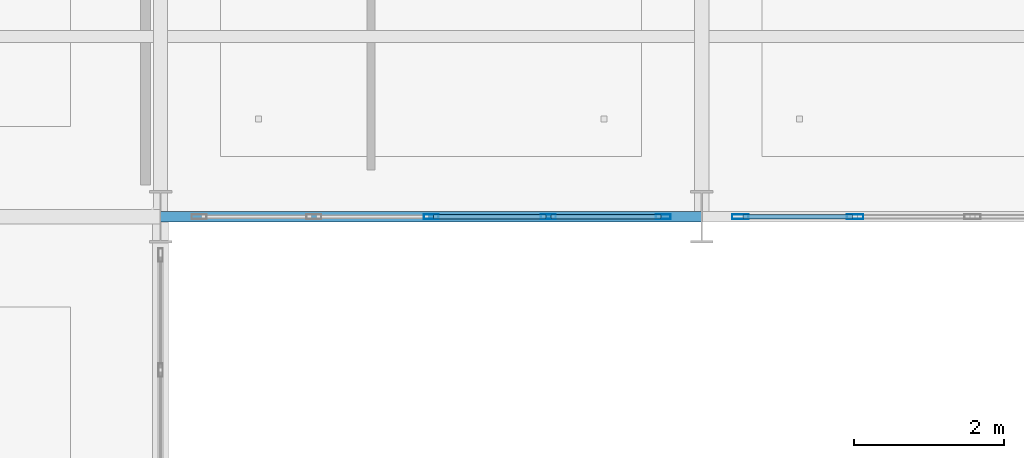
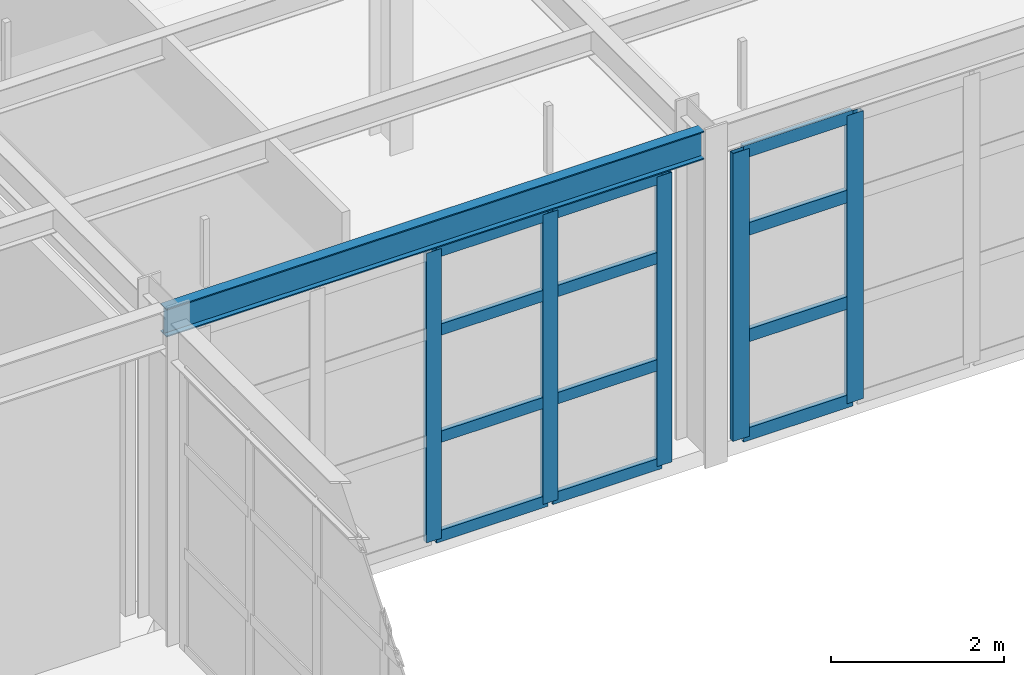
# One storey, part 30 of 121: 17 members, 1 beam, 2 elements without a shape of their own.
"""IFC4 building model written with IfcOpenShell, lengths in metres."""

from ifc_helpers import new_model, si_unit, direction, frame, origin, origin_2d, place, context, subcontext, project, spatial, hollow_rectangle, i_section, extrude, material, layer, layer_set, material_profile, profile_set, type_object, element, aggregate, save


model = new_model("IFC4")

# Units and contexts
model_context = context("Model", 3, precision=1e-05, world=origin(), true_north=direction((0.0, 1.0)))
body_context = subcontext(model_context, "Body", "Model", "MODEL_VIEW")
ifc_project = project(units=[si_unit("LENGTHUNIT", "METRE"), si_unit("AREAUNIT", "SQUARE_METRE"), si_unit("VOLUMEUNIT", "CUBIC_METRE"), si_unit("PLANEANGLEUNIT", "RADIAN"), si_unit("MASSUNIT", "GRAM", prefix="KILO")], contexts=[model_context])

# Site, building, storey
site_placement = place(None, origin())
site = spatial("IfcSite", under=ifc_project, at=site_placement, CompositionType="ELEMENT")
building_placement = place(site_placement, origin())
building = spatial("IfcBuilding", under=site, at=building_placement, Name="Solvadek Multi-Sports Hall", CompositionType="ELEMENT")
storey_placement = place(building_placement, frame((0.0, 0.0, 4.800048828125)))
storey = spatial("IfcBuildingStorey", under=building, at=storey_placement, Name="L01", CompositionType="ELEMENT", Elevation=4.800048828125)

# Curtain wall, members
ifc_material_1 = material(Name="Anodised aluminium", Category="aluminium")
ifc_layer_1 = layer(ifc_material_1, 0.159912109375, Name="Anodised aluminium")
ifc_layer_set_1 = layer_set([ifc_layer_1], Name="Anodised aluminium")
curtain_wall_type_1 = type_object("IfcCurtainWallType", Name="ENV-CW-624X410", PredefinedType="USERDEFINED", material=ifc_layer_set_1)
curtain_wall_1_placement = place(storey_placement, origin())
curtain_wall_1 = element("IfcCurtainWall", 1, at=curtain_wall_1_placement, inside=storey, type_object=curtain_wall_type_1, Name="L01 Perimeter Bay Curtain Wall #156", ObjectType="CURTAIN WALL", PredefinedType="USERDEFINED")
ifc_material_profile_1 = material_profile(ifc_material_1, hollow_rectangle(XDim=0.06494140625, YDim=0.199951171875, WallThickness=0.0048828125, at=origin_2d()), Name="ALU-M 200x65x5")
ifc_profile_set_1 = profile_set([ifc_material_profile_1], Name="Anodised aluminium")
member_type_1 = type_object("IfcMemberType", Name="ENV-CWM-03", PredefinedType="MULLION", material=ifc_profile_set_1)
member_1_placement = place(storey_placement, frame((25.199951171875, 49.199951171875, 0.0), z_axis=(0.0, 0.0, 1.0), x_axis=(0.0, 1.0, 0.0)))
member_1 = element("IfcMember", 2, at=member_1_placement, type_object=member_type_1, Name="CW-39 mullion 3", PredefinedType="MULLION", context=body_context, shape_type="SweptSolid", body=[
    extrude(hollow_rectangle(XDim=0.06494140625, YDim=0.199951171875, WallThickness=0.0048828125, at=origin_2d()), origin(), (0.0, 0.0, 1.0), 4.099853515625),
])
member_2_placement = place(storey_placement, frame((26.760009765625, 49.199951171875, 0.0), z_axis=(0.0, 0.0, 1.0), x_axis=(0.0, 1.0, 0.0)))
member_2 = element("IfcMember", 3, at=member_2_placement, type_object=member_type_1, Name="CW-39 mullion 4", PredefinedType="MULLION", context=body_context, shape_type="SweptSolid", body=[
    extrude(hollow_rectangle(XDim=0.06494140625, YDim=0.199951171875, WallThickness=0.0048828125, at=origin_2d()), origin(), (0.0, 0.0, 1.0), 4.099853515625),
])
member_3_placement = place(storey_placement, frame((28.28759765625, 49.199951171875, 0.0), z_axis=(0.0, 0.0, 1.0), x_axis=(0.0, 1.0, 0.0)))
member_3 = element("IfcMember", 4, at=member_3_placement, type_object=member_type_1, Name="CW-39 mullion 5", PredefinedType="MULLION", context=body_context, shape_type="SweptSolid", body=[
    extrude(hollow_rectangle(XDim=0.06494140625, YDim=0.199951171875, WallThickness=0.0048828125, at=origin_2d()), origin(), (0.0, 0.0, 1.0), 4.099853515625),
])

ifc_layer_2 = layer(ifc_material_1, 0.159912109375, Name="Anodised aluminium")
ifc_layer_set_2 = layer_set([ifc_layer_2], Name="Anodised aluminium")
curtain_wall_type_2 = type_object("IfcCurtainWallType", Name="ENV-CW-624X408", PredefinedType="USERDEFINED", material=ifc_layer_set_2)
curtain_wall_2_placement = place(storey_placement, origin())
curtain_wall_2 = element("IfcCurtainWall", 5, at=curtain_wall_2_placement, inside=storey, type_object=curtain_wall_type_2, Name="L01 Perimeter Bay Curtain Wall #162", ObjectType="CURTAIN WALL", PredefinedType="USERDEFINED")
ifc_material_profile_2 = material_profile(ifc_material_1, hollow_rectangle(XDim=0.06494140625, YDim=0.219970703125, WallThickness=0.0048828125, at=origin_2d()), Name="ALU-M 220x65x5")
ifc_profile_set_2 = profile_set([ifc_material_profile_2], Name="Anodised aluminium")
member_type_2 = type_object("IfcMemberType", Name="ENV-CWM-04", PredefinedType="MULLION", material=ifc_profile_set_2)
member_4_placement = place(storey_placement, frame((29.3125, 49.199951171875, 0.0), z_axis=(0.0, 0.0, 1.0), x_axis=(0.0, 1.0, 0.0)))
member_4 = element("IfcMember", 6, at=member_4_placement, type_object=member_type_2, Name="CW-40 mullion 1", PredefinedType="MULLION", context=body_context, shape_type="SweptSolid", body=[
    extrude(hollow_rectangle(XDim=0.06494140625, YDim=0.219970703125, WallThickness=0.0048828125, at=origin_2d()), origin(), (0.0, 0.0, 1.0), 4.074951171875),
])
member_5_placement = place(storey_placement, frame((30.840087890625, 49.199951171875, 0.0), z_axis=(0.0, 0.0, 1.0), x_axis=(0.0, 1.0, 0.0)))
member_5 = element("IfcMember", 7, at=member_5_placement, type_object=member_type_2, Name="CW-40 mullion 2", PredefinedType="MULLION", context=body_context, shape_type="SweptSolid", body=[
    extrude(hollow_rectangle(XDim=0.06494140625, YDim=0.219970703125, WallThickness=0.0048828125, at=origin_2d()), origin(), (0.0, 0.0, 1.0), 4.074951171875),
])

# Member
ifc_material_profile_3 = material_profile(ifc_material_1, hollow_rectangle(XDim=0.06494140625, YDim=0.159912109375, WallThickness=0.00390625, at=origin_2d()), Name="ALU-T 160x65x4")
ifc_profile_set_3 = profile_set([ifc_material_profile_3], Name="Anodised aluminium")
member_type_3 = type_object("IfcMemberType", Name="ENV-CWT-03", PredefinedType="USERDEFINED", material=ifc_profile_set_3)
member_6_placement = place(storey_placement, frame((25.232421875, 49.199951171875, 0.032470703125), z_axis=(1.0, 0.0, 0.0), x_axis=(0.0, 1.0, 0.0)))
member_6 = element("IfcMember", 8, at=member_6_placement, type_object=member_type_3, Name="CW-39 transom 3.1", ObjectType="TRANSOM", PredefinedType="USERDEFINED", context=body_context, shape_type="SweptSolid", body=[
    extrude(hollow_rectangle(XDim=0.06494140625, YDim=0.159912109375, WallThickness=0.00390625, at=origin_2d()), origin(), (0.0, 0.0, 1.0), 1.4951171875),
])

member_7_placement = place(storey_placement, frame((25.232421875, 49.199951171875, 1.43505859375), z_axis=(1.0, 0.0, 0.0), x_axis=(0.0, 1.0, 0.0)))
member_7 = element("IfcMember", 9, at=member_7_placement, type_object=member_type_3, Name="CW-39 transom 3.2", ObjectType="TRANSOM", PredefinedType="USERDEFINED", context=body_context, shape_type="SweptSolid", body=[
    extrude(hollow_rectangle(XDim=0.06494140625, YDim=0.159912109375, WallThickness=0.00390625, at=origin_2d()), origin(), (0.0, 0.0, 1.0), 1.4951171875),
])

member_8_placement = place(storey_placement, frame((25.232421875, 49.199951171875, 2.951904296875), z_axis=(1.0, 0.0, 0.0), x_axis=(0.0, 1.0, 0.0)))
member_8 = element("IfcMember", 10, at=member_8_placement, type_object=member_type_3, Name="CW-39 transom 3.3", ObjectType="TRANSOM", PredefinedType="USERDEFINED", context=body_context, shape_type="SweptSolid", body=[
    extrude(hollow_rectangle(XDim=0.06494140625, YDim=0.159912109375, WallThickness=0.00390625, at=origin_2d()), origin(), (0.0, 0.0, 1.0), 1.4951171875),
])

member_9_placement = place(storey_placement, frame((25.232421875, 49.199951171875, 4.0673828125), z_axis=(1.0, 0.0, 0.0), x_axis=(0.0, 1.0, 0.0)))
member_9 = element("IfcMember", 11, at=member_9_placement, type_object=member_type_3, Name="CW-39 transom 3.4", ObjectType="TRANSOM", PredefinedType="USERDEFINED", context=body_context, shape_type="SweptSolid", body=[
    extrude(hollow_rectangle(XDim=0.06494140625, YDim=0.159912109375, WallThickness=0.00390625, at=origin_2d()), origin(), (0.0, 0.0, 1.0), 1.4951171875),
])

member_10_placement = place(storey_placement, frame((26.79248046875, 49.199951171875, 0.032470703125), z_axis=(1.0, 0.0, 0.0), x_axis=(0.0, 1.0, 0.0)))
member_10 = element("IfcMember", 12, at=member_10_placement, type_object=member_type_3, Name="CW-39 transom 4.1", ObjectType="TRANSOM", PredefinedType="USERDEFINED", context=body_context, shape_type="SweptSolid", body=[
    extrude(hollow_rectangle(XDim=0.06494140625, YDim=0.159912109375, WallThickness=0.00390625, at=origin_2d()), origin(), (0.0, 0.0, 1.0), 1.46240234375),
])

member_11_placement = place(storey_placement, frame((26.79248046875, 49.199951171875, 1.43505859375), z_axis=(1.0, 0.0, 0.0), x_axis=(0.0, 1.0, 0.0)))
member_11 = element("IfcMember", 13, at=member_11_placement, type_object=member_type_3, Name="CW-39 transom 4.2", ObjectType="TRANSOM", PredefinedType="USERDEFINED", context=body_context, shape_type="SweptSolid", body=[
    extrude(hollow_rectangle(XDim=0.06494140625, YDim=0.159912109375, WallThickness=0.00390625, at=origin_2d()), origin(), (0.0, 0.0, 1.0), 1.46240234375),
])

member_12_placement = place(storey_placement, frame((26.79248046875, 49.199951171875, 2.951904296875), z_axis=(1.0, 0.0, 0.0), x_axis=(0.0, 1.0, 0.0)))
member_12 = element("IfcMember", 14, at=member_12_placement, type_object=member_type_3, Name="CW-39 transom 4.3", ObjectType="TRANSOM", PredefinedType="USERDEFINED", context=body_context, shape_type="SweptSolid", body=[
    extrude(hollow_rectangle(XDim=0.06494140625, YDim=0.159912109375, WallThickness=0.00390625, at=origin_2d()), origin(), (0.0, 0.0, 1.0), 1.46240234375),
])

member_13_placement = place(storey_placement, frame((26.79248046875, 49.199951171875, 4.0673828125), z_axis=(1.0, 0.0, 0.0), x_axis=(0.0, 1.0, 0.0)))
member_13 = element("IfcMember", 15, at=member_13_placement, type_object=member_type_3, Name="CW-39 transom 4.4", ObjectType="TRANSOM", PredefinedType="USERDEFINED", context=body_context, shape_type="SweptSolid", body=[
    extrude(hollow_rectangle(XDim=0.06494140625, YDim=0.159912109375, WallThickness=0.00390625, at=origin_2d()), origin(), (0.0, 0.0, 1.0), 1.46240234375),
])

aggregate(curtain_wall_1, [member_1, member_2, member_3, member_6, member_7, member_8, member_9, member_10, member_11, member_12, member_13])

ifc_material_profile_4 = material_profile(ifc_material_1, hollow_rectangle(XDim=0.06494140625, YDim=0.179931640625, WallThickness=0.0048828125, at=origin_2d()), Name="ALU-T 180x65x5")
ifc_profile_set_4 = profile_set([ifc_material_profile_4], Name="Anodised aluminium")
member_type_4 = type_object("IfcMemberType", Name="ENV-CWT-04", PredefinedType="USERDEFINED", material=ifc_profile_set_4)
member_14_placement = place(storey_placement, frame((29.344970703125, 49.199951171875, 0.032470703125), z_axis=(1.0, 0.0, 0.0), x_axis=(0.0, 1.0, 0.0)))
member_14 = element("IfcMember", 16, at=member_14_placement, type_object=member_type_4, Name="CW-40 transom 1.1", ObjectType="TRANSOM", PredefinedType="USERDEFINED", context=body_context, shape_type="SweptSolid", body=[
    extrude(hollow_rectangle(XDim=0.06494140625, YDim=0.179931640625, WallThickness=0.0048828125, at=origin_2d()), origin(), (0.0, 0.0, 1.0), 1.462646484375),
])

member_15_placement = place(storey_placement, frame((29.344970703125, 49.199951171875, 1.426025390625), z_axis=(1.0, 0.0, 0.0), x_axis=(0.0, 1.0, 0.0)))
member_15 = element("IfcMember", 17, at=member_15_placement, type_object=member_type_4, Name="CW-40 transom 1.2", ObjectType="TRANSOM", PredefinedType="USERDEFINED", context=body_context, shape_type="SweptSolid", body=[
    extrude(hollow_rectangle(XDim=0.06494140625, YDim=0.179931640625, WallThickness=0.0048828125, at=origin_2d()), origin(), (0.0, 0.0, 1.0), 1.462646484375),
])

member_16_placement = place(storey_placement, frame((29.344970703125, 49.199951171875, 2.933837890625), z_axis=(1.0, 0.0, 0.0), x_axis=(0.0, 1.0, 0.0)))
member_16 = element("IfcMember", 18, at=member_16_placement, type_object=member_type_4, Name="CW-40 transom 1.3", ObjectType="TRANSOM", PredefinedType="USERDEFINED", context=body_context, shape_type="SweptSolid", body=[
    extrude(hollow_rectangle(XDim=0.06494140625, YDim=0.179931640625, WallThickness=0.0048828125, at=origin_2d()), origin(), (0.0, 0.0, 1.0), 1.462646484375),
])

member_17_placement = place(storey_placement, frame((29.344970703125, 49.199951171875, 4.04248046875), z_axis=(1.0, 0.0, 0.0), x_axis=(0.0, 1.0, 0.0)))
member_17 = element("IfcMember", 19, at=member_17_placement, type_object=member_type_4, Name="CW-40 transom 1.4", ObjectType="TRANSOM", PredefinedType="USERDEFINED", context=body_context, shape_type="SweptSolid", body=[
    extrude(hollow_rectangle(XDim=0.06494140625, YDim=0.179931640625, WallThickness=0.0048828125, at=origin_2d()), origin(), (0.0, 0.0, 1.0), 1.462646484375),
])

aggregate(curtain_wall_2, [member_4, member_5, member_14, member_15, member_16, member_17])

# Beam
ifc_material_2 = material(Name="Steel E350 (350 MPa)", Category="steel")
ifc_material_profile_5 = material_profile(ifc_material_2, i_section(OverallWidth=0.139892578125, OverallDepth=0.39990234375, WebThickness=0.0087890625, FlangeThickness=0.01611328125, at=origin_2d()), Name="ISMB 400")
ifc_profile_set_5 = profile_set([ifc_material_profile_5], Name="Steel E350 (350 MPa)")
beam_type = type_object("IfcBeamType", Name="STR-BM-ISMB400", PredefinedType="BEAM", material=ifc_profile_set_5)
beam_placement = place(storey_placement, frame((21.60009765625, 49.199951171875, 4.35986328125), z_axis=(1.0, 0.0, 0.0), x_axis=(0.0, 1.0, 0.0)))
element("IfcBeam", 20, at=beam_placement, inside=storey, type_object=beam_type, Name="L01 Girder B-10 #1008", PredefinedType="BEAM", context=body_context, shape_type="SweptSolid", body=[
    extrude(i_section(OverallWidth=0.139892578125, OverallDepth=0.39990234375, WebThickness=0.0087890625, FlangeThickness=0.01611328125, at=origin_2d()), origin(), (0.0, 0.0, 1.0), 7.199951171875),
])

save(model, "model.ifc")
